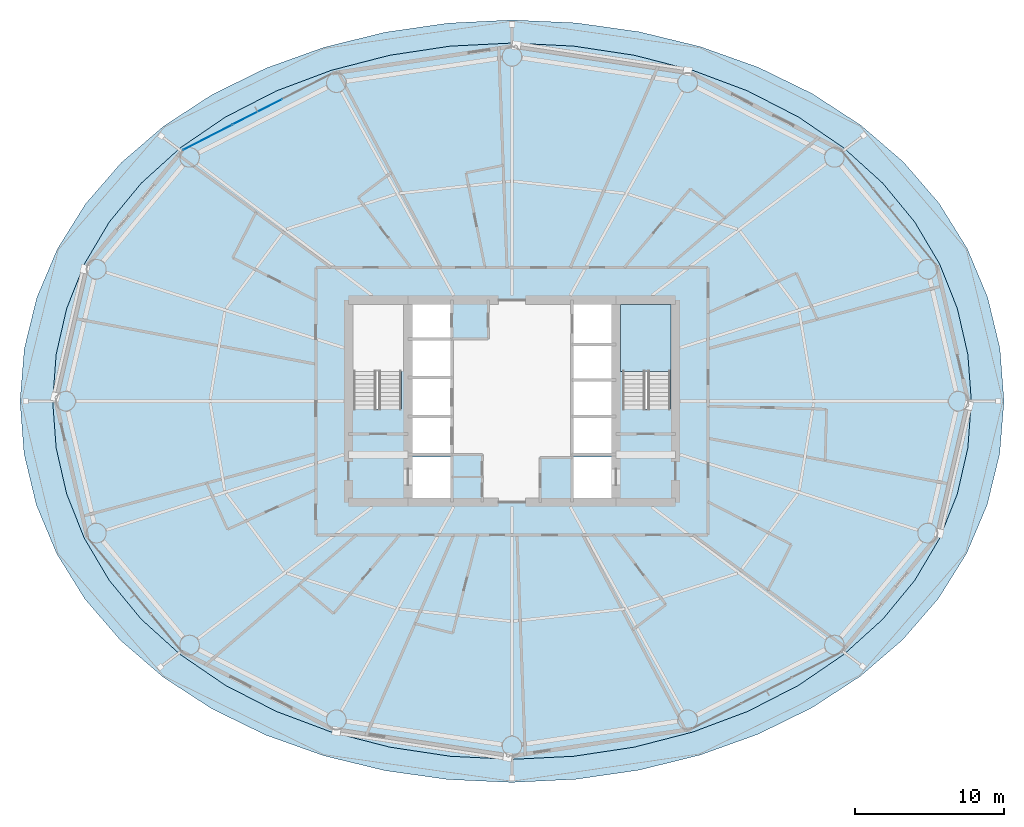
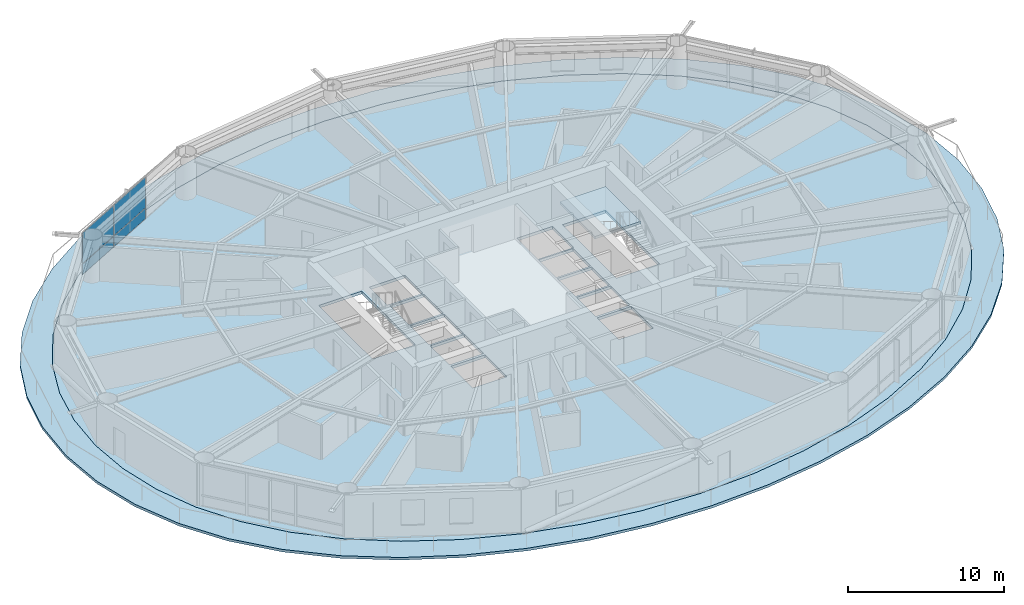
# One storey, part 17 of 26: 4 plates, 3 slabs, 2 elements without a shape of their own.
"""IFC4 building model written with IfcOpenShell, lengths in metres."""

import ifcopenshell
import ifcopenshell.guid

model = None  # the IFC model being written
_history = None  # IfcOwnerHistory: only IFC2X3 demands one
_inside = {}  # id of a spatial element -> (the spatial element, [elements in it])
_under = {}  # id of a project, library or spatial element -> (it, [spatial elements below it])
_declared = {}  # id of a project -> (the project, [libraries it declares])
_typed = {}  # id of a type object -> (the type object, [elements of that type])
_made_of = {}  # id of a material, layer set ... -> (it, [elements and type objects made of it])


def new_model(schema):
    """Start an empty IFC model of exactly this schema.

    Asked for "IFC4X3", IfcOpenShell would pick the latest addendum, in which some entities
    have other attributes; the version numbers below select the first issue.
    IFC2X3 requires an IfcOwnerHistory on every rooted entity: one is made here for all.
    """
    global model, _history
    if schema == "IFC4X3":
        model = ifcopenshell.file(schema_version=(4, 3, 0, 0))
    else:
        model = ifcopenshell.file(schema=schema)
    _inside.clear()
    _under.clear()
    _declared.clear()
    _typed.clear()
    _made_of.clear()
    _history = None
    if model.schema == "IFC2X3":
        org = make("IfcOrganization", Name="unknown")
        user = make(
            "IfcPersonAndOrganization",
            ThePerson=make("IfcPerson", FamilyName="unknown"),
            TheOrganization=org,
        )
        app = make(
            "IfcApplication",
            ApplicationDeveloper=org,
            Version="unknown",
            ApplicationFullName="unknown",
            ApplicationIdentifier="unknown",
        )
        _history = make(
            "IfcOwnerHistory",
            OwningUser=user,
            OwningApplication=app,
            ChangeAction="ADDED",
            CreationDate=0,
        )
    return model


def make(cls, **values):
    """One entity of the class cls with the attributes given. An attribute that is None is left unset."""
    return model.create_entity(
        cls, **{name: value for name, value in values.items() if value is not None}
    )


def rooted(cls, **values):
    """An entity with a GlobalId (a new one), such as an element, a storey or a relation."""
    return make(cls, GlobalId=ifcopenshell.guid.new(), OwnerHistory=_history, **values)


def si_unit(unit_type, name, prefix=None):
    """IfcSIUnit, for example si_unit("LENGTHUNIT", "METRE", prefix="MILLI")."""
    return make("IfcSIUnit", UnitType=unit_type, Prefix=prefix, Name=name)


def assignment(units):
    """IfcUnitAssignment: the units of a project."""
    return None if units is None else make("IfcUnitAssignment", Units=units)


def point(xyz):
    """IfcCartesianPoint."""
    return None if xyz is None else make("IfcCartesianPoint", Coordinates=xyz)


def direction(xyz):
    """IfcDirection."""
    return None if xyz is None else make("IfcDirection", DirectionRatios=xyz)


def frame(location, z_axis=None, x_axis=None):
    """IfcAxis2Placement3D, a coordinate frame: its origin and axes. An axis left out is left unset."""
    return make(
        "IfcAxis2Placement3D",
        Location=point(location),
        Axis=direction(z_axis),
        RefDirection=direction(x_axis),
    )


def frame_2d(location, x_axis=None):
    """IfcAxis2Placement2D, a coordinate frame in the plane: its origin and x axis."""
    return make(
        "IfcAxis2Placement2D", Location=point(location), RefDirection=direction(x_axis)
    )


def origin():
    """The frame at (0, 0, 0) with its axes left unset."""
    return frame((0.0, 0.0, 0.0))


def origin_2d():
    """The frame at (0, 0) in the plane with its x axis left unset."""
    return frame_2d((0.0, 0.0))


def place(relative_to, where):
    """IfcLocalPlacement: puts the frame where relative to a parent placement (None: the world)."""
    return make(
        "IfcLocalPlacement", PlacementRelTo=relative_to, RelativePlacement=where
    )


def context(
    kind, dimensions, precision=None, world=None, true_north=None, identifier=None
):
    """IfcGeometricRepresentationContext, for example the 3D "Model" context."""
    return make(
        "IfcGeometricRepresentationContext",
        ContextIdentifier=identifier,
        ContextType=kind,
        CoordinateSpaceDimension=dimensions,
        Precision=precision,
        WorldCoordinateSystem=world,
        TrueNorth=true_north,
    )


def subcontext(parent, identifier, kind, view, scale=None):
    """IfcGeometricRepresentationSubContext, for example "Body" below "Model"."""
    return make(
        "IfcGeometricRepresentationSubContext",
        ContextIdentifier=identifier,
        ContextType=kind,
        ParentContext=parent,
        TargetScale=scale,
        TargetView=view,
    )


def project(units=None, contexts=None):
    """IfcProject with its units and contexts."""
    return rooted(
        "IfcProject",
        Name="project",
        RepresentationContexts=contexts,
        UnitsInContext=assignment(units),
    )


def spatial(cls, under=None, at=None, **own):
    """A site, building, storey or space (cls), placed at a placement, below another one or the project."""
    s = rooted(cls, ObjectPlacement=at, **own)
    if under is not None:
        _under.setdefault(under.id(), (under, []))[1].append(s)
    return s


def polyline(points):
    """IfcPolyline through the points."""
    return make("IfcPolyline", Points=[point(p) for p in points])


def profile(cls, at=None, kind="AREA", **sizes):
    """A parametric profile (cls). Its sizes go by their IFC names, for example OverallWidth=200.0."""
    return make(cls, ProfileType=kind, Position=at, **sizes)


def rectangle(**sizes):
    """IfcRectangleProfileDef."""
    return profile("IfcRectangleProfileDef", **sizes)


def outline(outer, holes=None, kind="AREA"):
    """IfcArbitraryClosedProfileDef: a profile drawn as a closed curve; with holes, ...WithVoids."""
    if holes is None:
        return make("IfcArbitraryClosedProfileDef", ProfileType=kind, OuterCurve=outer)
    return make(
        "IfcArbitraryProfileDefWithVoids",
        ProfileType=kind,
        OuterCurve=outer,
        InnerCurves=holes,
    )


def extrude(swept, where, along, depth):
    """IfcExtrudedAreaSolid: the profile swept, set in the frame where, extruded along a direction by depth."""
    return make(
        "IfcExtrudedAreaSolid",
        SweptArea=swept,
        Position=where,
        ExtrudedDirection=direction(along),
        Depth=depth,
    )


def shape(context_of_items, identifier, shape_type, items):
    """IfcShapeRepresentation: the items that make up one representation, for example the "Body"."""
    return make(
        "IfcShapeRepresentation",
        ContextOfItems=context_of_items,
        RepresentationIdentifier=identifier,
        RepresentationType=shape_type,
        Items=items,
    )


def material(Name=None, Category=None):
    """IfcMaterial."""
    return make("IfcMaterial", Name=Name, Category=Category)


def layer(
    of_material, thickness, ventilated=None, Name=None, Category=None, Priority=None
):
    """IfcMaterialLayer: one layer of a wall or slab, of a material (None: an air gap)."""
    return make(
        "IfcMaterialLayer",
        Material=of_material,
        LayerThickness=thickness,
        IsVentilated=ventilated,
        Name=Name,
        Category=Category,
        Priority=Priority,
    )


def layer_set(layers, Name=None):
    """IfcMaterialLayerSet."""
    return make("IfcMaterialLayerSet", MaterialLayers=layers, LayerSetName=Name)


def made_of(thing, what):
    """Note that an element or type object is made of a material, layer set ...; save() writes the relation."""
    if what is not None:
        _made_of.setdefault(what.id(), (what, []))[1].append(thing)
    return thing


def type_object(cls, material=None, **own):
    """A type object (cls), such as IfcWallType, which elements share."""
    return made_of(rooted(cls, **own), material)


def element(
    cls,
    number,
    at=None,
    inside=None,
    cuts=None,
    type_object=None,
    material=None,
    context=None,
    identifier="Body",
    shape_type=None,
    held_by="IfcProductDefinitionShape",
    body=None,
    shapes=None,
    **own,
):
    """One element of the class cls, such as IfcWall. Its Tag is "e" and its number.

    at: its placement. inside: the storey or other place that contains it. cuts: it is an
    opening in that element (IfcRelVoidsElement). A single representation is given by context,
    identifier, shape_type and body (its items); several are given by shapes. held_by: the class
    of the entity that holds the representations. save() writes the other relations.
    """
    e = rooted(cls, Tag="e%d" % number, ObjectPlacement=at, **own)
    if body is not None:
        shapes = [shape(context, identifier, shape_type, body)]
    if shapes is not None:
        e.Representation = make(held_by, Representations=shapes)
    if inside is not None:
        _inside.setdefault(inside.id(), (inside, []))[1].append(e)
    if cuts is not None:
        rooted(
            "IfcRelVoidsElement", RelatingBuildingElement=cuts, RelatedOpeningElement=e
        )
    if type_object is not None:
        _typed.setdefault(type_object.id(), (type_object, []))[1].append(e)
    return made_of(e, material)


def aggregate(whole, parts):
    """IfcRelAggregates: a whole, such as a stair, and the parts it consists of."""
    return rooted("IfcRelAggregates", RelatingObject=whole, RelatedObjects=parts)


def save(model, path):
    """Write the relations noted so far, then the file.

    IfcRelAggregates (storeys below a building ...), IfcRelContainedInSpatialStructure (elements
    in a storey), IfcRelDefinesByType, IfcRelAssociatesMaterial and IfcRelDeclares: one each for
    every whole, place, type object, material and project.
    """
    for whole, parts in _under.values():
        aggregate(whole, parts)
    for where, things in _inside.values():
        rooted(
            "IfcRelContainedInSpatialStructure",
            RelatedElements=things,
            RelatingStructure=where,
        )
    for kind, things in _typed.values():
        rooted("IfcRelDefinesByType", RelatedObjects=things, RelatingType=kind)
    for what, things in _made_of.values():
        rooted("IfcRelAssociatesMaterial", RelatedObjects=things, RelatingMaterial=what)
    for by, libraries in _declared.values():
        rooted("IfcRelDeclares", RelatingContext=by, RelatedDefinitions=libraries)
    model.write(path)


model = new_model("IFC4")

# Units and contexts
model_context = context("Model", 3, precision=1e-05, world=origin(), true_north=direction((0.0, 1.0)))
body_context = subcontext(model_context, "Body", "Model", "MODEL_VIEW")
ifc_project = project(units=[si_unit("LENGTHUNIT", "METRE"), si_unit("AREAUNIT", "SQUARE_METRE"), si_unit("VOLUMEUNIT", "CUBIC_METRE"), si_unit("PLANEANGLEUNIT", "RADIAN"), si_unit("MASSUNIT", "GRAM", prefix="KILO")], contexts=[model_context])

# Site, building, storey
site_placement = place(None, origin())
site = spatial("IfcSite", under=ifc_project, at=site_placement, CompositionType="ELEMENT")
building_placement = place(site_placement, origin())
building = spatial("IfcBuilding", under=site, at=building_placement, Name="Sarneth Arch Tower", CompositionType="ELEMENT")
storey_placement = place(building_placement, frame((0.0, 0.0, 39.0)))
storey = spatial("IfcBuildingStorey", under=building, at=storey_placement, Name="L08", CompositionType="ELEMENT", Elevation=39.0)

# Curtain wall, plates
ifc_material_1 = material(Name="Anodised aluminium Type AA25 and solar-control low-e laminated IGU", Category="aluminium")
ifc_layer_1 = layer(ifc_material_1, 0.159912109375)
ifc_layer_set_1 = layer_set([ifc_layer_1], Name="Anodised aluminium Type AA25 and solar-control low-e laminated IGU")
curtain_wall_type = type_object("IfcCurtainWallType", Name="CW-HOTEL-LOW", PredefinedType="NOTDEFINED", material=ifc_layer_set_1)
curtain_wall_placement = place(storey_placement, origin())
curtain_wall = element("IfcCurtainWall", 1, at=curtain_wall_placement, inside=storey, type_object=curtain_wall_type, Name="L08 Unitised curtain wall facet 06", PredefinedType="NOTDEFINED")
ifc_material_2 = material(Name="Solar-control low-e laminated IGU", Category="glass")
ifc_layer_2 = layer(ifc_material_2, 0.028076171875)
ifc_layer_set_2 = layer_set([ifc_layer_2], Name="Solar-control low-e laminated IGU")
plate_type = type_object("IfcPlateType", Name="CW-PANEL", PredefinedType="CURTAIN_PANEL", material=ifc_layer_set_2)
plate_1_placement = place(storey_placement, frame((30.8740234375, 61.473876953125, 0.06005859375), z_axis=(0.0, 0.0, 1.0), x_axis=(-0.889854100456, -0.456245197127, 0.0)))
plate_1 = element("IfcPlate", 2, at=plate_1_placement, type_object=plate_type, Name="Curtain wall glazed vision pane CW-L08-F06/P01-00", PredefinedType="CURTAIN_PANEL", context=body_context, shape_type="SweptSolid", body=[
    extrude(rectangle(XDim=3.721923828125, YDim=0.028076171875, at=origin_2d()), origin(), (0.0, 0.0, 1.0), 0.81005859375),
])
plate_2_placement = place(storey_placement, frame((30.8740234375, 61.473876953125, 0.93017578125), z_axis=(0.0, 0.0, 1.0), x_axis=(-0.889854100456, -0.456245197127, 0.0)))
plate_2 = element("IfcPlate", 3, at=plate_2_placement, type_object=plate_type, Name="Curtain wall glazed vision pane CW-L08-F06/P01-01", PredefinedType="CURTAIN_PANEL", context=body_context, shape_type="SweptSolid", body=[
    extrude(rectangle(XDim=3.721923828125, YDim=0.028076171875, at=origin_2d()), origin(), (0.0, 0.0, 1.0), 2.389892578125),
])
plate_3_placement = place(storey_placement, frame((27.52197265625, 59.75537109375, 0.06005859375), z_axis=(0.0, 0.0, 1.0), x_axis=(-0.889854100456, -0.456245197127, 0.0)))
plate_3 = element("IfcPlate", 4, at=plate_3_placement, type_object=plate_type, Name="Curtain wall glazed vision pane CW-L08-F06/P02-00", PredefinedType="CURTAIN_PANEL", context=body_context, shape_type="SweptSolid", body=[
    extrude(rectangle(XDim=3.69189453125, YDim=0.028076171875, at=origin_2d()), origin(), (0.0, 0.0, 1.0), 0.81005859375),
])
plate_4_placement = place(storey_placement, frame((27.52197265625, 59.75537109375, 0.93017578125), z_axis=(0.0, 0.0, 1.0), x_axis=(-0.889854100456, -0.456245197127, 0.0)))
plate_4 = element("IfcPlate", 5, at=plate_4_placement, type_object=plate_type, Name="Curtain wall glazed vision pane CW-L08-F06/P02-01", PredefinedType="CURTAIN_PANEL", context=body_context, shape_type="SweptSolid", body=[
    extrude(rectangle(XDim=3.69189453125, YDim=0.028076171875, at=origin_2d()), origin(), (0.0, 0.0, 1.0), 2.389892578125),
])
aggregate(curtain_wall, [plate_1, plate_2, plate_3, plate_4])

# Slab
ifc_material_3 = material(Name="Concrete C50/60", Category="concrete")
ifc_layer_3 = layer(ifc_material_3, 0.199951171875)
ifc_layer_set_3 = layer_set([ifc_layer_3], Name="Concrete C50/60")
slab_type_1 = type_object("IfcSlabType", Name="SLAB-BALC-200", PredefinedType="FLOOR", material=ifc_layer_set_3)
slab_1_placement = place(storey_placement, frame((0.0, 0.0, -0.199951171875)))
element("IfcSlab", 6, at=slab_1_placement, inside=storey, type_object=slab_type_1, Name="L08 Helical balcony band slab", PredefinedType="FLOOR", context=body_context, shape_type="SweptSolid", body=[
    extrude(outline(polyline([(81.10791015625, 42.0), (80.8369140625, 45.53173828125), (80.009765625, 48.9775390625), (78.637939453125, 52.25927734375), (76.73974609375, 55.314697265625), (74.34033203125, 58.095703125), (71.4765625, 60.566650390625), (68.198486328125, 62.6982421875), (64.56982421875, 64.46826171875), (60.662109375, 65.859375), (56.55029296875, 66.858642578125), (52.306640625, 67.45751953125), (48.0, 67.65185546875), (43.695068359375, 67.440185546875), (39.45654296875, 66.825439453125), (35.352294921875, 65.8134765625), (31.453857421875, 64.414306640625), (27.834228515625, 62.641357421875), (24.564453125, 60.51220703125), (21.70556640625, 58.048828125), (19.306884765625, 55.278564453125), (17.404052734375, 52.23583984375), (16.022216796875, 48.966064453125), (15.180419921875, 45.528564453125), (14.89208984375, 42.0), (15.1630859375, 38.46826171875), (15.990234375, 35.0224609375), (17.362060546875, 31.74072265625), (19.26025390625, 28.685302734375), (21.65966796875, 25.904296875), (24.5234375, 23.433349609375), (27.801513671875, 21.3017578125), (31.43017578125, 19.53173828125), (35.337890625, 18.140625), (39.44970703125, 17.141357421875), (43.693359375, 16.54248046875), (48.0, 16.34814453125), (52.304931640625, 16.559814453125), (56.54345703125, 17.174560546875), (60.647705078125, 18.1865234375), (64.546142578125, 19.585693359375), (68.165771484375, 21.358642578125), (71.435546875, 23.48779296875), (74.29443359375, 25.951171875), (76.693115234375, 28.721435546875), (78.595947265625, 31.76416015625), (79.977783203125, 35.033935546875), (80.819580078125, 38.471435546875), (81.10791015625, 42.0)]), holes=[polyline([(78.90966796875, 42.0), (78.675048828125, 45.145751953125), (77.9677734375, 48.237548828125), (76.780029296875, 51.22265625), (75.10595703125, 54.050048828125), (72.94873046875, 56.671142578125), (70.32861328125, 59.041259765625), (67.2841796875, 61.119873046875), (63.8720703125, 62.87109375), (60.162109375, 64.265380859375), (56.2294921875, 65.27880859375), (52.150634765625, 65.893798828125), (48.0, 66.10009765625), (43.849365234375, 65.893798828125), (39.7705078125, 65.27880859375), (35.837890625, 64.265380859375), (32.1279296875, 62.87109375), (28.7158203125, 61.119873046875), (25.67138671875, 59.041259765625), (23.05126953125, 56.671142578125), (20.89404296875, 54.050048828125), (19.219970703125, 51.22265625), (18.0322265625, 48.237548828125), (17.324951171875, 45.145751953125), (17.09033203125, 42.0), (17.324951171875, 38.854248046875), (18.0322265625, 35.762451171875), (19.219970703125, 32.77734375), (20.89404296875, 29.949951171875), (23.05126953125, 27.328857421875), (25.67138671875, 24.958740234375), (28.7158203125, 22.880126953125), (32.1279296875, 21.12890625), (35.837890625, 19.734619140625), (39.7705078125, 18.72119140625), (43.849365234375, 18.106201171875), (48.0, 17.89990234375), (52.150634765625, 18.106201171875), (56.2294921875, 18.72119140625), (60.162109375, 19.734619140625), (63.8720703125, 21.12890625), (67.2841796875, 22.880126953125), (70.32861328125, 24.958740234375), (72.94873046875, 27.328857421875), (75.10595703125, 29.949951171875), (76.780029296875, 32.77734375), (77.9677734375, 35.762451171875), (78.675048828125, 38.854248046875), (78.90966796875, 42.0)])]), origin(), (0.0, 0.0, 1.0), 0.199951171875),
])

# Stair, slab
ifc_material_4 = material(Name="Concrete C50/60", Category="concrete")
stair_type = type_object("IfcStairType", Name="STAIR-CORE-RC", PredefinedType="HALF_TURN_STAIR", material=ifc_material_4)
stair_placement = place(storey_placement, origin())
stair = element("IfcStair", 7, at=stair_placement, inside=storey, type_object=stair_type, Name="L08 Core Exit Stair 2", PredefinedType="HALF_TURN_STAIR")
ifc_material_5 = material(Name="Concrete C50/60", Category="concrete")
ifc_layer_4 = layer(ifc_material_5, 0.199951171875)
ifc_layer_set_4 = layer_set([ifc_layer_4], Name="Concrete C50/60")
slab_type_2 = type_object("IfcSlabType", Name="SLAB-LANDING-200", PredefinedType="LANDING", material=ifc_layer_set_4)
slab_2_placement = place(storey_placement, frame((0.0, 0.0, 1.60009765625)))
slab_2 = element("IfcSlab", 8, at=slab_2_placement, type_object=slab_type_2, Name="ST-2 landing 1", PredefinedType="LANDING", context=body_context, shape_type="SweptSolid", body=[
    extrude(outline(polyline([(55.300048828125, 43.985107421875), (58.699951171875, 43.985107421875), (58.699951171875, 48.5), (55.300048828125, 48.5), (55.300048828125, 43.985107421875)])), origin(), (0.0, 0.0, 1.0), 0.199951171875),
])
aggregate(stair, [slab_2])

# Slab
ifc_material_6 = material(Name="Concrete C50/60", Category="concrete")
ifc_layer_5 = layer(ifc_material_6, 0.219970703125)
ifc_layer_set_5 = layer_set([ifc_layer_5], Name="Concrete C50/60")
slab_type_3 = type_object("IfcSlabType", Name="SLAB-TOWER-220", PredefinedType="FLOOR", material=ifc_layer_set_5)
slab_3_placement = place(storey_placement, frame((0.0, 0.0, -0.219970703125)))
element("IfcSlab", 9, at=slab_3_placement, inside=storey, type_object=slab_type_3, Name="L08 Elliptical floor slab", PredefinedType="FLOOR", context=body_context, shape_type="SweptSolid", body=[
    extrude(outline(polyline([(78.90966796875, 42.0), (78.675048828125, 45.145751953125), (77.9677734375, 48.237548828125), (76.780029296875, 51.22265625), (75.10595703125, 54.050048828125), (72.94873046875, 56.671142578125), (70.32861328125, 59.041259765625), (67.2841796875, 61.119873046875), (63.8720703125, 62.87109375), (60.162109375, 64.265380859375), (56.2294921875, 65.27880859375), (52.150634765625, 65.893798828125), (48.0, 66.10009765625), (43.849365234375, 65.893798828125), (39.7705078125, 65.27880859375), (35.837890625, 64.265380859375), (32.1279296875, 62.87109375), (28.7158203125, 61.119873046875), (25.67138671875, 59.041259765625), (23.05126953125, 56.671142578125), (20.89404296875, 54.050048828125), (19.219970703125, 51.22265625), (18.0322265625, 48.237548828125), (17.324951171875, 45.145751953125), (17.09033203125, 42.0), (17.324951171875, 38.854248046875), (18.0322265625, 35.762451171875), (19.219970703125, 32.77734375), (20.89404296875, 29.949951171875), (23.05126953125, 27.328857421875), (25.67138671875, 24.958740234375), (28.7158203125, 22.880126953125), (32.1279296875, 21.12890625), (35.837890625, 19.734619140625), (39.7705078125, 18.72119140625), (43.849365234375, 18.106201171875), (48.0, 17.89990234375), (52.150634765625, 18.106201171875), (56.2294921875, 18.72119140625), (60.162109375, 19.734619140625), (63.8720703125, 21.12890625), (67.2841796875, 22.880126953125), (70.32861328125, 24.958740234375), (72.94873046875, 27.328857421875), (75.10595703125, 29.949951171875), (76.780029296875, 32.77734375), (77.9677734375, 35.762451171875), (78.675048828125, 38.854248046875), (78.90966796875, 42.0)]), holes=[polyline([(37.35009765625, 41.489990234375), (40.550048828125, 41.489990234375), (40.550048828125, 48.39990234375), (37.35009765625, 48.39990234375), (37.35009765625, 41.489990234375)]), polyline([(55.449951171875, 41.489990234375), (58.64990234375, 41.489990234375), (58.64990234375, 48.39990234375), (55.449951171875, 48.39990234375), (55.449951171875, 41.489990234375)]), polyline([(41.199951171875, 46.25), (43.85009765625, 46.25), (43.85009765625, 48.550048828125), (41.199951171875, 48.550048828125), (41.199951171875, 46.25)]), polyline([(41.300048828125, 35.449951171875), (43.85009765625, 35.449951171875), (43.85009765625, 38.25), (41.300048828125, 38.25), (41.300048828125, 35.449951171875)]), polyline([(52.14990234375, 35.449951171875), (54.699951171875, 35.449951171875), (54.699951171875, 38.25), (52.14990234375, 38.25), (52.14990234375, 35.449951171875)]), polyline([(52.14990234375, 45.85009765625), (54.800048828125, 45.85009765625), (54.800048828125, 48.550048828125), (52.14990234375, 48.550048828125), (52.14990234375, 45.85009765625)]), polyline([(41.300048828125, 38.449951171875), (43.85009765625, 38.449951171875), (43.85009765625, 40.89990234375), (41.300048828125, 40.89990234375), (41.300048828125, 38.449951171875)]), polyline([(41.300048828125, 41.050048828125), (43.85009765625, 41.050048828125), (43.85009765625, 43.5), (41.300048828125, 43.5), (41.300048828125, 41.050048828125)]), polyline([(41.300048828125, 43.64990234375), (43.85009765625, 43.64990234375), (43.85009765625, 46.10009765625), (41.300048828125, 46.10009765625), (41.300048828125, 43.64990234375)]), polyline([(52.14990234375, 38.449951171875), (54.699951171875, 38.449951171875), (54.699951171875, 40.89990234375), (52.14990234375, 40.89990234375), (52.14990234375, 38.449951171875)]), polyline([(52.14990234375, 41.050048828125), (54.699951171875, 41.050048828125), (54.699951171875, 43.35009765625), (52.14990234375, 43.35009765625), (52.14990234375, 41.050048828125)]), polyline([(52.14990234375, 43.5), (54.699951171875, 43.5), (54.699951171875, 45.75), (52.14990234375, 45.75), (52.14990234375, 43.5)])]), origin(), (0.0, 0.0, 1.0), 0.219970703125),
])

save(model, "model.ifc")
